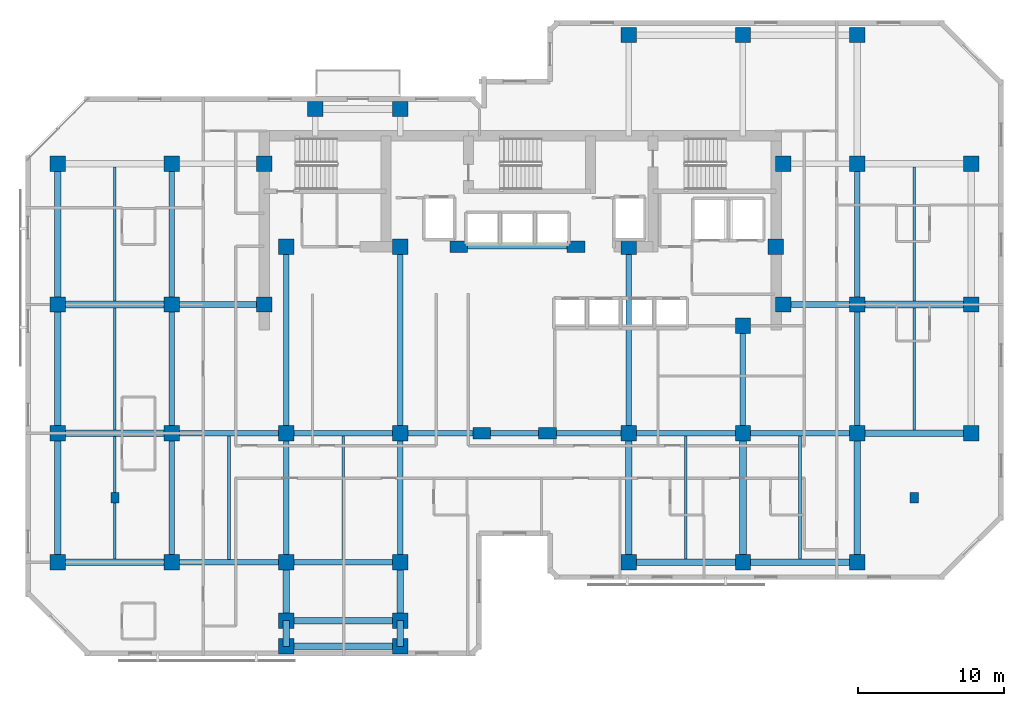
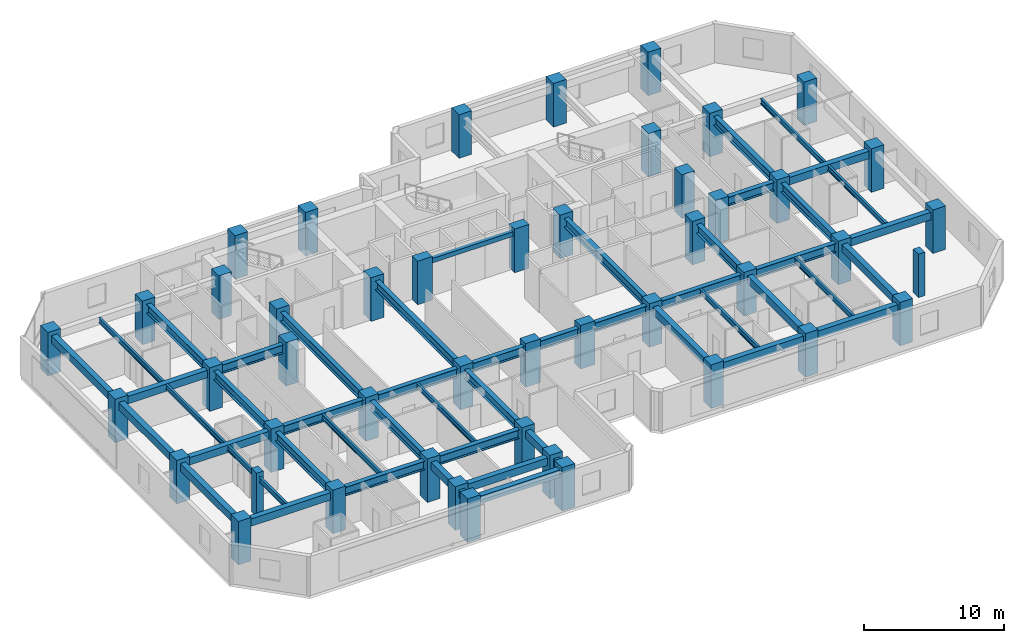
# One storey, part 1 of 11: 51 beams, 47 columns.
"""IFC4 building model written with IfcOpenShell, lengths in metres."""

from ifc_helpers import new_model, si_unit, direction, frame, origin, origin_2d, place, context, subcontext, project, spatial, rectangle, i_section, extrude, material, material_profile, profile_set, type_object, element, save


model = new_model("IFC4")

# Units and contexts
model_context = context("Model", 3, precision=1e-05, world=origin(), true_north=direction((0.0, 1.0)))
body_context = subcontext(model_context, "Body", "Model", "MODEL_VIEW")
ifc_project = project(units=[si_unit("LENGTHUNIT", "METRE"), si_unit("AREAUNIT", "SQUARE_METRE"), si_unit("VOLUMEUNIT", "CUBIC_METRE"), si_unit("PLANEANGLEUNIT", "RADIAN"), si_unit("MASSUNIT", "GRAM", prefix="KILO")], contexts=[model_context])

# Site, building, storey
site_placement = place(None, origin())
site = spatial("IfcSite", under=ifc_project, at=site_placement, CompositionType="ELEMENT")
building_placement = place(site_placement, origin())
building = spatial("IfcBuilding", under=site, at=building_placement, Name="Kestravale Grand Hotel", CompositionType="ELEMENT")
storey_placement = place(building_placement, frame((0.0, 0.0, 180.199951171875)))
storey = spatial("IfcBuildingStorey", under=building, at=storey_placement, Name="L45", CompositionType="ELEMENT", Elevation=180.199951171875)

# Columns
ifc_material_1 = material(Name="Concrete f'c 60 MPa", Category="concrete")
ifc_material_profile_1 = material_profile(ifc_material_1, rectangle(XDim=1.050048828125, YDim=1.050048828125, at=origin_2d()))
ifc_profile_set_1 = profile_set([ifc_material_profile_1], Name="Concrete f'c 60 MPa")
column_type_1 = type_object("IfcColumnType", Name="C-Z3-1050", PredefinedType="COLUMN", material=ifc_profile_set_1)
for number, where, z_axis, x_axis, name in (
    (1, (7.800048828125, 11.199951171875, 0.0), (0.0, 0.0, 1.0), (1.0, 0.0, 0.0), "L45 column 2-C"),
    (2, (7.800048828125, 20.0, 0.0), (0.0, 0.0, 1.0), (1.0, 0.0, 0.0), "L45 column 2-D"),
    (3, (7.800048828125, 28.800048828125, 0.0), (0.0, 0.0, 1.0), (1.0, 0.0, 0.0), "L45 column 2-E"),
    (4, (7.800048828125, 38.39990234375, 0.0), (0.0, 0.0, 1.0), (1.0, 0.0, 0.0), "L45 column 2-F"),
    (5, (15.60009765625, 11.199951171875, 0.0), (0.0, 0.0, 1.0), (1.0, 0.0, 0.0), "L45 column 3-C"),
    (6, (15.60009765625, 20.0, 0.0), (0.0, 0.0, 1.0), (1.0, 0.0, 0.0), "L45 column 3-D"),
    (7, (15.60009765625, 28.800048828125, 0.0), (0.0, 0.0, 1.0), (1.0, 0.0, 0.0), "L45 column 3-E"),
    (8, (15.60009765625, 38.39990234375, 0.0), (0.0, 0.0, 1.0), (1.0, 0.0, 0.0), "L45 column 3-F"),
    (9, (23.39990234375, 11.199951171875, 0.0), (0.0, 0.0, 1.0), (1.0, 0.0, 0.0), "L45 column 4-C"),
    (10, (23.39990234375, 20.0, 0.0), (0.0, 0.0, 1.0), (1.0, 0.0, 0.0), "L45 column 4-D"),
    (11, (31.199951171875, 11.199951171875, 0.0), (0.0, 0.0, 1.0), (1.0, 0.0, 0.0), "L45 column 5-C"),
    (12, (31.199951171875, 20.0, 0.0), (0.0, 0.0, 1.0), (1.0, 0.0, 0.0), "L45 column 5-D"),
    (13, (46.800048828125, 11.199951171875, 0.0), (0.0, 0.0, 1.0), (1.0, 0.0, 0.0), "L45 column 8-C"),
    (14, (46.800048828125, 20.0, 0.0), (0.0, 0.0, 1.0), (1.0, 0.0, 0.0), "L45 column 8-D"),
    (15, (46.800048828125, 47.199951171875, 0.0), (0.0, 0.0, 1.0), (1.0, 0.0, 0.0), "L45 column 8-G"),
    (16, (54.60009765625, 11.199951171875, 0.0), (0.0, 0.0, 1.0), (1.0, 0.0, 0.0), "L45 column 9-C"),
    (17, (54.60009765625, 20.0, 0.0), (0.0, 0.0, 1.0), (1.0, 0.0, 0.0), "L45 column 9-D"),
    (18, (54.60009765625, 47.199951171875, 0.0), (0.0, 0.0, 1.0), (1.0, 0.0, 0.0), "L45 column 9-G"),
    (19, (62.39990234375, 11.199951171875, 0.0), (0.0, 0.0, 1.0), (1.0, 0.0, 0.0), "L45 column 10-C"),
    (20, (62.39990234375, 20.0, 0.0), (0.0, 0.0, 1.0), (1.0, 0.0, 0.0), "L45 column 10-D"),
    (21, (62.39990234375, 28.800048828125, 0.0), (0.0, 0.0, 1.0), (1.0, 0.0, 0.0), "L45 column 10-E"),
    (22, (62.39990234375, 38.39990234375, 0.0), (0.0, 0.0, 1.0), (1.0, 0.0, 0.0), "L45 column 10-F"),
    (23, (62.39990234375, 47.199951171875, 0.0), (0.0, 0.0, 1.0), (1.0, 0.0, 0.0), "L45 column 10-G"),
    (24, (70.199951171875, 20.0, 0.0), (0.0, 0.0, 1.0), (1.0, 0.0, 0.0), "L45 column 11-D"),
    (25, (70.199951171875, 28.800048828125, 0.0), (0.0, 0.0, 1.0), (1.0, 0.0, 0.0), "L45 column 11-E"),
    (26, (70.199951171875, 38.39990234375, 0.0), (0.0, 0.0, 1.0), (1.0, 0.0, 0.0), "L45 column 11-F"),
    (27, (21.89990234375, 28.800048828125, 0.0), (0.0, 0.0, 1.0), (1.0, 0.0, 0.0), "L45 column CW-E"),
    (28, (21.89990234375, 38.39990234375, 0.0), (0.0, 0.0, 1.0), (1.0, 0.0, 0.0), "L45 column CW-F"),
    (29, (57.35009765625, 28.800048828125, 0.0), (0.0, 0.0, 1.0), (1.0, 0.0, 0.0), "L45 column CE-E"),
    (30, (57.35009765625, 38.39990234375, 0.0), (0.0, 0.0, 1.0), (1.0, 0.0, 0.0), "L45 column CE-F"),
    (31, (23.39990234375, 32.75, 0.0), (0.0, 0.0, 1.0), (1.0, 0.0, 0.0), "L45 column 4-CS"),
    (32, (31.199951171875, 32.75, 0.0), (0.0, 0.0, 1.0), (1.0, 0.0, 0.0), "L45 column 5-CS"),
    (33, (46.800048828125, 32.75, 0.0), (0.0, 0.0, 1.0), (1.0, 0.0, 0.0), "L45 column 8-CS"),
    (34, (54.60009765625, 27.35009765625, 0.0), (0.0, 0.0, 1.0), (1.0, 0.0, 0.0), "L45 column 9-CS"),
    (35, (56.85009765625, 32.75, 0.0), (0.0, 0.0, 1.0), (1.0, 0.0, 0.0), "L45 column 9C-CS"),
    (36, (23.39990234375, 7.199951171875, 0.0), (0.0, 0.0, 1.0), (1.0, 0.0, 0.0), "L45 column 4-BS"),
    (37, (31.199951171875, 7.199951171875, 0.0), (0.0, 0.0, 1.0), (1.0, 0.0, 0.0), "L45 column 5-BS"),
    (38, (25.39990234375, 42.14990234375, 0.0), (0.0, 0.0, 1.0), (1.0, 0.0, 0.0), "L45 column 4-FN"),
    (39, (31.199951171875, 42.14990234375, 0.0), (0.0, 0.0, 1.0), (1.0, 0.0, 0.0), "L45 column 5-FN"),
    (40, (23.39990234375, 5.449951171875, 0.0), (0.0, 0.0, 1.0), (1.0, 0.0, 0.0), "L45 column 4-B1S"),
    (41, (31.199951171875, 5.449951171875, 0.0), (0.0, 0.0, 1.0), (1.0, 0.0, 0.0), "L45 column 5-B1S"),
):
    element("IfcColumn", number, at=place(storey_placement, frame(where, z_axis=z_axis, x_axis=x_axis)), inside=storey, type_object=column_type_1, Name=name, PredefinedType="COLUMN", context=body_context, shape_type="SweptSolid", body=[
        extrude(rectangle(XDim=1.050048828125, YDim=1.050048828125, at=origin_2d()), origin(), (0.0, 0.0, 1.0), 3.800048828125),
    ])
ifc_material_2 = material(Name="Concrete f'c 60 MPa", Category="concrete")
ifc_material_profile_2 = material_profile(ifc_material_2, rectangle(XDim=1.199951171875, YDim=0.800048828125, at=origin_2d()))
ifc_profile_set_2 = profile_set([ifc_material_profile_2], Name="Concrete f'c 60 MPa")
column_type_2 = type_object("IfcColumnType", Name="C-Z3-1200X800", PredefinedType="COLUMN", material=ifc_profile_set_2)
for number, where, z_axis, x_axis, name in (
    (42, (36.75, 20.0, 0.0), (0.0, 0.0, 1.0), (1.0, 0.0, 0.0), "L45 column 6-D"),
    (43, (41.25, 20.0, 0.0), (0.0, 0.0, 1.0), (1.0, 0.0, 0.0), "L45 column 7-D"),
    (44, (35.199951171875, 32.75, 0.0), (0.0, 0.0, 1.0), (1.0, 0.0, 0.0), "L45 column 6C-CS"),
    (45, (43.199951171875, 32.75, 0.0), (0.0, 0.0, 1.0), (1.0, 0.0, 0.0), "L45 column 7C-CS"),
):
    element("IfcColumn", number, at=place(storey_placement, frame(where, z_axis=z_axis, x_axis=x_axis)), inside=storey, type_object=column_type_2, Name=name, PredefinedType="COLUMN", context=body_context, shape_type="SweptSolid", body=[
        extrude(rectangle(XDim=1.199951171875, YDim=0.800048828125, at=origin_2d()), origin(), (0.0, 0.0, 1.0), 3.800048828125),
    ])
ifc_material_3 = material(Name="Precast concrete f'c 45 MPa", Category="concrete")
ifc_material_profile_3 = material_profile(ifc_material_3, rectangle(XDim=0.550048828125, YDim=0.75, at=origin_2d()))
ifc_profile_set_3 = profile_set([ifc_material_profile_3], Name="Precast concrete f'c 45 MPa")
column_type_3 = type_object("IfcColumnType", Name="C-Z3-PIL750", PredefinedType="PILASTER", material=ifc_profile_set_3)
for number, where, z_axis, x_axis, name in (
    (46, (11.699951171875, 15.60009765625, 0.0), (0.0, 0.0, 1.0), (1.0, 0.0, 0.0), "L45 Art Deco fluted pilaster P1"),
    (47, (66.300048828125, 15.60009765625, 0.0), (0.0, 0.0, 1.0), (1.0, 0.0, 0.0), "L45 Art Deco fluted pilaster P2"),
):
    element("IfcColumn", number, at=place(storey_placement, frame(where, z_axis=z_axis, x_axis=x_axis)), inside=storey, type_object=column_type_3, Name=name, PredefinedType="PILASTER", context=body_context, shape_type="SweptSolid", body=[
        extrude(rectangle(XDim=0.550048828125, YDim=0.75, at=origin_2d()), origin(), (0.0, 0.0, 1.0), 3.800048828125),
    ])

# Beams
ifc_material_4 = material(Name="Steel ASTM A992 Grade 50", Category="steel")
ifc_material_profile_4 = material_profile(ifc_material_4, i_section(OverallWidth=0.19091796875, OverallDepth=0.45703125, WebThickness=0.009033203125, FlangeThickness=0.014404296875, FilletRadius=0.015380859375, at=origin_2d()))
ifc_profile_set_4 = profile_set([ifc_material_profile_4], Name="Steel ASTM A992 Grade 50")
beam_type_1 = type_object("IfcBeamType", Name="B-FLR-JST18", PredefinedType="JOIST", material=ifc_profile_set_4)
for number, where, z_axis, x_axis, name in (
    (48, (11.699951171875, 11.425048828125, 3.191650390625), (0.0, 1.0, 0.0), (-1.0, 0.0, 0.0), "L45 floor joist 2-3/C-D #1"),
    (49, (11.699951171875, 20.22509765625, 3.191650390625), (0.0, 1.0, 0.0), (-1.0, 0.0, 0.0), "L45 floor joist 2-3/D-E #1"),
):
    element("IfcBeam", number, at=place(storey_placement, frame(where, z_axis=z_axis, x_axis=x_axis)), inside=storey, type_object=beam_type_1, Name=name, PredefinedType="JOIST", context=body_context, shape_type="SweptSolid", body=[
        extrude(i_section(OverallWidth=0.19091796875, OverallDepth=0.45703125, WebThickness=0.009033203125, FlangeThickness=0.014404296875, FilletRadius=0.015380859375, at=origin_2d()), origin(), (0.0, 0.0, 1.0), 8.349853515625),
    ])
beam_1_placement = place(storey_placement, frame((11.699951171875, 29.02490234375, 3.191650390625), z_axis=(0.0, 1.0, 0.0), x_axis=(-1.0, 0.0, 0.0)))
element("IfcBeam", 50, at=beam_1_placement, inside=storey, type_object=beam_type_1, Name="L45 floor joist 2-3/E-F #1", PredefinedType="JOIST", context=body_context, shape_type="SweptSolid", body=[
    extrude(i_section(OverallWidth=0.19091796875, OverallDepth=0.45703125, WebThickness=0.009033203125, FlangeThickness=0.014404296875, FilletRadius=0.015380859375, at=origin_2d()), origin(), (0.0, 0.0, 1.0), 9.150146484375),
])
for number, where, z_axis, x_axis, name in (
    (51, (19.5, 11.390380859375, 3.191650390625), (0.0, 1.0, 0.0), (-1.0, 0.0, 0.0), "L45 floor joist 3-4/C-D #1"),
    (52, (27.300048828125, 11.390380859375, 3.191650390625), (0.0, 1.0, 0.0), (-1.0, 0.0, 0.0), "L45 floor joist 4-5/C-D #1"),
):
    element("IfcBeam", number, at=place(storey_placement, frame(where, z_axis=z_axis, x_axis=x_axis)), inside=storey, type_object=beam_type_1, Name=name, PredefinedType="JOIST", context=body_context, shape_type="SweptSolid", body=[
        extrude(i_section(OverallWidth=0.19091796875, OverallDepth=0.45703125, WebThickness=0.009033203125, FlangeThickness=0.014404296875, FilletRadius=0.015380859375, at=origin_2d()), origin(), (0.0, 0.0, 1.0), 8.419189453125),
    ])
for number, where, z_axis, x_axis, name in (
    (53, (50.699951171875, 11.425048828125, 3.191650390625), (0.0, 1.0, 0.0), (-1.0, 0.0, 0.0), "L45 floor joist 8-9/C-D #1"),
    (54, (58.5, 11.425048828125, 3.191650390625), (0.0, 1.0, 0.0), (-1.0, 0.0, 0.0), "L45 floor joist 9-10/C-D #1"),
):
    element("IfcBeam", number, at=place(storey_placement, frame(where, z_axis=z_axis, x_axis=x_axis)), inside=storey, type_object=beam_type_1, Name=name, PredefinedType="JOIST", context=body_context, shape_type="SweptSolid", body=[
        extrude(i_section(OverallWidth=0.19091796875, OverallDepth=0.45703125, WebThickness=0.009033203125, FlangeThickness=0.014404296875, FilletRadius=0.015380859375, at=origin_2d()), origin(), (0.0, 0.0, 1.0), 8.384521484375),
    ])
beam_2_placement = place(storey_placement, frame((66.300048828125, 20.22509765625, 3.191650390625), z_axis=(0.0, 1.0, 0.0), x_axis=(-1.0, 0.0, 0.0)))
element("IfcBeam", 55, at=beam_2_placement, inside=storey, type_object=beam_type_1, Name="L45 floor joist 10-11/D-E #1", PredefinedType="JOIST", context=body_context, shape_type="SweptSolid", body=[
    extrude(i_section(OverallWidth=0.19091796875, OverallDepth=0.45703125, WebThickness=0.009033203125, FlangeThickness=0.014404296875, FilletRadius=0.015380859375, at=origin_2d()), origin(), (0.0, 0.0, 1.0), 8.349853515625),
])
beam_3_placement = place(storey_placement, frame((66.300048828125, 29.02490234375, 3.191650390625), z_axis=(0.0, 1.0, 0.0), x_axis=(-1.0, 0.0, 0.0)))
element("IfcBeam", 56, at=beam_3_placement, inside=storey, type_object=beam_type_1, Name="L45 floor joist 10-11/E-F #1", PredefinedType="JOIST", context=body_context, shape_type="SweptSolid", body=[
    extrude(i_section(OverallWidth=0.19091796875, OverallDepth=0.45703125, WebThickness=0.009033203125, FlangeThickness=0.014404296875, FilletRadius=0.015380859375, at=origin_2d()), origin(), (0.0, 0.0, 1.0), 9.150146484375),
])
ifc_material_5 = material(Name="Concrete f'c 45 MPa", Category="concrete")
ifc_material_profile_5 = material_profile(ifc_material_5, rectangle(XDim=0.300048828125, YDim=0.39990234375, at=origin_2d()))
ifc_profile_set_5 = profile_set([ifc_material_profile_5], Name="Concrete f'c 45 MPa")
beam_type_2 = type_object("IfcBeamType", Name="B-FLR-LNT400", PredefinedType="LINTEL", material=ifc_profile_set_5)
beam_4_placement = place(storey_placement, frame((35.199951171875, 32.75, 3.219970703125), z_axis=(1.0, 0.0, 0.0), x_axis=(0.0, 1.0, 0.0)))
element("IfcBeam", 57, at=beam_4_placement, inside=storey, type_object=beam_type_2, Name="L45 core portal header lintel", PredefinedType="LINTEL", context=body_context, shape_type="SweptSolid", body=[
    extrude(rectangle(XDim=0.300048828125, YDim=0.39990234375, at=origin_2d()), origin(), (0.0, 0.0, 1.0), 8.0),
])
ifc_material_6 = material(Name="Concrete f'c 45 MPa", Category="concrete")
ifc_material_profile_6 = material_profile(ifc_material_6, rectangle(XDim=0.449951171875, YDim=0.64990234375, at=origin_2d()))
ifc_profile_set_6 = profile_set([ifc_material_profile_6], Name="Concrete f'c 45 MPa")
beam_type_3 = type_object("IfcBeamType", Name="B-FLR-RC650", PredefinedType="SPANDREL", material=ifc_profile_set_6)
for number, where, z_axis, x_axis, name in (
    (58, (7.800048828125, 11.199951171875, 3.094970703125), (1.0, 0.0, 0.0), (0.0, 1.0, 0.0), "L45 spandrel C:2-3"),
    (59, (46.800048828125, 11.199951171875, 3.094970703125), (1.0, 0.0, 0.0), (0.0, 1.0, 0.0), "L45 spandrel C:8-9"),
):
    element("IfcBeam", number, at=place(storey_placement, frame(where, z_axis=z_axis, x_axis=x_axis)), inside=storey, type_object=beam_type_3, Name=name, PredefinedType="SPANDREL", context=body_context, shape_type="SweptSolid", body=[
        extrude(rectangle(XDim=0.449951171875, YDim=0.64990234375, at=origin_2d()), origin(), (0.0, 0.0, 1.0), 7.800048828125),
    ])
beam_5_placement = place(storey_placement, frame((54.60009765625, 11.199951171875, 3.094970703125), z_axis=(1.0, 0.0, 0.0), x_axis=(0.0, 1.0, 0.0)))
element("IfcBeam", 60, at=beam_5_placement, inside=storey, type_object=beam_type_3, Name="L45 spandrel C:9-10", PredefinedType="SPANDREL", context=body_context, shape_type="SweptSolid", body=[
    extrude(rectangle(XDim=0.449951171875, YDim=0.64990234375, at=origin_2d()), origin(), (0.0, 0.0, 1.0), 7.7998046875),
])
for number, where, z_axis, x_axis, name in (
    (61, (7.800048828125, 20.0, 3.094970703125), (1.0, 0.0, 0.0), (0.0, 1.0, 0.0), "L45 spandrel D:2-3"),
    (62, (62.39990234375, 20.0, 3.094970703125), (1.0, 0.0, 0.0), (0.0, 1.0, 0.0), "L45 spandrel D:10-11"),
    (63, (7.800048828125, 28.800048828125, 3.094970703125), (1.0, 0.0, 0.0), (0.0, 1.0, 0.0), "L45 spandrel E:2-3"),
    (64, (62.39990234375, 28.800048828125, 3.094970703125), (1.0, 0.0, 0.0), (0.0, 1.0, 0.0), "L45 spandrel E:10-11"),
    (65, (23.39990234375, 5.449951171875, 3.094970703125), (1.0, 0.0, 0.0), (0.0, 1.0, 0.0), "L45 perimeter tie spandrel B1S:4-5"),
    (66, (23.39990234375, 7.199951171875, 3.094970703125), (1.0, 0.0, 0.0), (0.0, 1.0, 0.0), "L45 perimeter tie spandrel BS:4-5"),
):
    element("IfcBeam", number, at=place(storey_placement, frame(where, z_axis=z_axis, x_axis=x_axis)), inside=storey, type_object=beam_type_3, Name=name, PredefinedType="SPANDREL", context=body_context, shape_type="SweptSolid", body=[
        extrude(rectangle(XDim=0.449951171875, YDim=0.64990234375, at=origin_2d()), origin(), (0.0, 0.0, 1.0), 7.800048828125),
    ])
for number, where, z_axis, x_axis, name in (
    (67, (7.800048828125, 11.199951171875, 3.094970703125), (0.0, 1.0, 0.0), (-1.0, 0.0, 0.0), "L45 spandrel 2:C-D"),
    (68, (7.800048828125, 20.0, 3.094970703125), (0.0, 1.0, 0.0), (-1.0, 0.0, 0.0), "L45 spandrel 2:D-E"),
):
    element("IfcBeam", number, at=place(storey_placement, frame(where, z_axis=z_axis, x_axis=x_axis)), inside=storey, type_object=beam_type_3, Name=name, PredefinedType="SPANDREL", context=body_context, shape_type="SweptSolid", body=[
        extrude(rectangle(XDim=0.449951171875, YDim=0.64990234375, at=origin_2d()), origin(), (0.0, 0.0, 1.0), 8.800048828125),
    ])
beam_6_placement = place(storey_placement, frame((7.800048828125, 28.800048828125, 3.094970703125), z_axis=(0.0, 1.0, 0.0), x_axis=(-1.0, 0.0, 0.0)))
element("IfcBeam", 69, at=beam_6_placement, inside=storey, type_object=beam_type_3, Name="L45 spandrel 2:E-F", PredefinedType="SPANDREL", context=body_context, shape_type="SweptSolid", body=[
    extrude(rectangle(XDim=0.449951171875, YDim=0.64990234375, at=origin_2d()), origin(), (0.0, 0.0, 1.0), 9.599853515625),
])
beam_7_placement = place(storey_placement, frame((23.39990234375, 5.449951171875, 3.094970703125), z_axis=(0.0, 1.0, 0.0), x_axis=(-1.0, 0.0, 0.0)))
element("IfcBeam", 70, at=beam_7_placement, inside=storey, type_object=beam_type_3, Name="L45 spandrel 4:B1S-BS", PredefinedType="SPANDREL", context=body_context, shape_type="SweptSolid", body=[
    extrude(rectangle(XDim=0.449951171875, YDim=0.64990234375, at=origin_2d()), origin(), (0.0, 0.0, 1.0), 1.75),
])
beam_8_placement = place(storey_placement, frame((23.39990234375, 7.199951171875, 3.094970703125), z_axis=(0.0, 1.0, 0.0), x_axis=(-1.0, 0.0, 0.0)))
element("IfcBeam", 71, at=beam_8_placement, inside=storey, type_object=beam_type_3, Name="L45 spandrel 4:BS-C", PredefinedType="SPANDREL", context=body_context, shape_type="SweptSolid", body=[
    extrude(rectangle(XDim=0.449951171875, YDim=0.64990234375, at=origin_2d()), origin(), (0.0, 0.0, 1.0), 4.0),
])
beam_9_placement = place(storey_placement, frame((31.199951171875, 5.449951171875, 3.094970703125), z_axis=(0.0, 1.0, 0.0), x_axis=(-1.0, 0.0, 0.0)))
element("IfcBeam", 72, at=beam_9_placement, inside=storey, type_object=beam_type_3, Name="L45 spandrel 5:B1S-BS", PredefinedType="SPANDREL", context=body_context, shape_type="SweptSolid", body=[
    extrude(rectangle(XDim=0.449951171875, YDim=0.64990234375, at=origin_2d()), origin(), (0.0, 0.0, 1.0), 1.75),
])
beam_10_placement = place(storey_placement, frame((31.199951171875, 7.199951171875, 3.094970703125), z_axis=(0.0, 1.0, 0.0), x_axis=(-1.0, 0.0, 0.0)))
element("IfcBeam", 73, at=beam_10_placement, inside=storey, type_object=beam_type_3, Name="L45 spandrel 5:BS-C", PredefinedType="SPANDREL", context=body_context, shape_type="SweptSolid", body=[
    extrude(rectangle(XDim=0.449951171875, YDim=0.64990234375, at=origin_2d()), origin(), (0.0, 0.0, 1.0), 4.0),
])
for number, where, z_axis, x_axis, name in (
    (74, (46.800048828125, 11.199951171875, 3.094970703125), (0.0, 1.0, 0.0), (-1.0, 0.0, 0.0), "L45 spandrel 8:C-D"),
    (75, (54.60009765625, 11.199951171875, 3.094970703125), (0.0, 1.0, 0.0), (-1.0, 0.0, 0.0), "L45 spandrel 9:C-D"),
    (76, (62.39990234375, 11.199951171875, 3.094970703125), (0.0, 1.0, 0.0), (-1.0, 0.0, 0.0), "L45 spandrel 10:C-D"),
):
    element("IfcBeam", number, at=place(storey_placement, frame(where, z_axis=z_axis, x_axis=x_axis)), inside=storey, type_object=beam_type_3, Name=name, PredefinedType="SPANDREL", context=body_context, shape_type="SweptSolid", body=[
        extrude(rectangle(XDim=0.449951171875, YDim=0.64990234375, at=origin_2d()), origin(), (0.0, 0.0, 1.0), 8.800048828125),
    ])
ifc_material_7 = material(Name="Steel ASTM A992 Grade 50", Category="steel")
ifc_material_profile_7 = material_profile(ifc_material_7, i_section(OverallWidth=0.381103515625, OverallDepth=0.77197265625, WebThickness=0.0166015625, FlangeThickness=0.027099609375, FilletRadius=0.023681640625, at=origin_2d()))
ifc_profile_set_7 = profile_set([ifc_material_profile_7], Name="Steel ASTM A992 Grade 50")
beam_type_4 = type_object("IfcBeamType", Name="B-GRD-W30", PredefinedType="BEAM", material=ifc_profile_set_7)
beam_11_placement = place(storey_placement, frame((15.60009765625, 11.199951171875, 3.033935546875), z_axis=(1.0, 0.0, 0.0), x_axis=(0.0, 1.0, 0.0)))
element("IfcBeam", 77, at=beam_11_placement, inside=storey, type_object=beam_type_4, Name="L45 girder C:3-4", PredefinedType="BEAM", context=body_context, shape_type="SweptSolid", body=[
    extrude(i_section(OverallWidth=0.381103515625, OverallDepth=0.77197265625, WebThickness=0.0166015625, FlangeThickness=0.027099609375, FilletRadius=0.023681640625, at=origin_2d()), origin(), (0.0, 0.0, 1.0), 7.7998046875),
])
beam_12_placement = place(storey_placement, frame((23.39990234375, 11.199951171875, 3.033935546875), z_axis=(1.0, 0.0, 0.0), x_axis=(0.0, 1.0, 0.0)))
element("IfcBeam", 78, at=beam_12_placement, inside=storey, type_object=beam_type_4, Name="L45 girder C:4-5", PredefinedType="BEAM", context=body_context, shape_type="SweptSolid", body=[
    extrude(i_section(OverallWidth=0.381103515625, OverallDepth=0.77197265625, WebThickness=0.0166015625, FlangeThickness=0.027099609375, FilletRadius=0.023681640625, at=origin_2d()), origin(), (0.0, 0.0, 1.0), 7.800048828125),
])
beam_13_placement = place(storey_placement, frame((15.60009765625, 20.0, 3.033935546875), z_axis=(1.0, 0.0, 0.0), x_axis=(0.0, 1.0, 0.0)))
element("IfcBeam", 79, at=beam_13_placement, inside=storey, type_object=beam_type_4, Name="L45 girder D:3-4", PredefinedType="BEAM", context=body_context, shape_type="SweptSolid", body=[
    extrude(i_section(OverallWidth=0.381103515625, OverallDepth=0.77197265625, WebThickness=0.0166015625, FlangeThickness=0.027099609375, FilletRadius=0.023681640625, at=origin_2d()), origin(), (0.0, 0.0, 1.0), 7.7998046875),
])
beam_14_placement = place(storey_placement, frame((23.39990234375, 20.0, 3.033935546875), z_axis=(1.0, 0.0, 0.0), x_axis=(0.0, 1.0, 0.0)))
element("IfcBeam", 80, at=beam_14_placement, inside=storey, type_object=beam_type_4, Name="L45 girder D:4-5", PredefinedType="BEAM", context=body_context, shape_type="SweptSolid", body=[
    extrude(i_section(OverallWidth=0.381103515625, OverallDepth=0.77197265625, WebThickness=0.0166015625, FlangeThickness=0.027099609375, FilletRadius=0.023681640625, at=origin_2d()), origin(), (0.0, 0.0, 1.0), 7.800048828125),
])
beam_15_placement = place(storey_placement, frame((31.199951171875, 20.0, 3.033935546875), z_axis=(1.0, 0.0, 0.0), x_axis=(0.0, 1.0, 0.0)))
element("IfcBeam", 81, at=beam_15_placement, inside=storey, type_object=beam_type_4, Name="L45 girder D:5-6", PredefinedType="BEAM", context=body_context, shape_type="SweptSolid", body=[
    extrude(i_section(OverallWidth=0.381103515625, OverallDepth=0.77197265625, WebThickness=0.0166015625, FlangeThickness=0.027099609375, FilletRadius=0.023681640625, at=origin_2d()), origin(), (0.0, 0.0, 1.0), 5.550048828125),
])
beam_16_placement = place(storey_placement, frame((36.75, 20.0, 3.033935546875), z_axis=(1.0, 0.0, 0.0), x_axis=(0.0, 1.0, 0.0)))
element("IfcBeam", 82, at=beam_16_placement, inside=storey, type_object=beam_type_4, Name="L45 girder D:6-7", PredefinedType="BEAM", context=body_context, shape_type="SweptSolid", body=[
    extrude(i_section(OverallWidth=0.381103515625, OverallDepth=0.77197265625, WebThickness=0.0166015625, FlangeThickness=0.027099609375, FilletRadius=0.023681640625, at=origin_2d()), origin(), (0.0, 0.0, 1.0), 4.5),
])
beam_17_placement = place(storey_placement, frame((41.25, 20.0, 3.033935546875), z_axis=(1.0, 0.0, 0.0), x_axis=(0.0, 1.0, 0.0)))
element("IfcBeam", 83, at=beam_17_placement, inside=storey, type_object=beam_type_4, Name="L45 girder D:7-8", PredefinedType="BEAM", context=body_context, shape_type="SweptSolid", body=[
    extrude(i_section(OverallWidth=0.381103515625, OverallDepth=0.77197265625, WebThickness=0.0166015625, FlangeThickness=0.027099609375, FilletRadius=0.023681640625, at=origin_2d()), origin(), (0.0, 0.0, 1.0), 5.550048828125),
])
beam_18_placement = place(storey_placement, frame((46.800048828125, 20.0, 3.033935546875), z_axis=(1.0, 0.0, 0.0), x_axis=(0.0, 1.0, 0.0)))
element("IfcBeam", 84, at=beam_18_placement, inside=storey, type_object=beam_type_4, Name="L45 girder D:8-9", PredefinedType="BEAM", context=body_context, shape_type="SweptSolid", body=[
    extrude(i_section(OverallWidth=0.381103515625, OverallDepth=0.77197265625, WebThickness=0.0166015625, FlangeThickness=0.027099609375, FilletRadius=0.023681640625, at=origin_2d()), origin(), (0.0, 0.0, 1.0), 7.800048828125),
])
beam_19_placement = place(storey_placement, frame((54.60009765625, 20.0, 3.033935546875), z_axis=(1.0, 0.0, 0.0), x_axis=(0.0, 1.0, 0.0)))
element("IfcBeam", 85, at=beam_19_placement, inside=storey, type_object=beam_type_4, Name="L45 girder D:9-10", PredefinedType="BEAM", context=body_context, shape_type="SweptSolid", body=[
    extrude(i_section(OverallWidth=0.381103515625, OverallDepth=0.77197265625, WebThickness=0.0166015625, FlangeThickness=0.027099609375, FilletRadius=0.023681640625, at=origin_2d()), origin(), (0.0, 0.0, 1.0), 7.7998046875),
])
beam_20_placement = place(storey_placement, frame((15.60009765625, 28.800048828125, 3.033935546875), z_axis=(1.0, 0.0, 0.0), x_axis=(0.0, 1.0, 0.0)))
element("IfcBeam", 86, at=beam_20_placement, inside=storey, type_object=beam_type_4, Name="L45 girder E:3-CW", PredefinedType="BEAM", context=body_context, shape_type="SweptSolid", body=[
    extrude(i_section(OverallWidth=0.381103515625, OverallDepth=0.77197265625, WebThickness=0.0166015625, FlangeThickness=0.027099609375, FilletRadius=0.023681640625, at=origin_2d()), origin(), (0.0, 0.0, 1.0), 6.2998046875),
])
beam_21_placement = place(storey_placement, frame((57.35009765625, 28.800048828125, 3.033935546875), z_axis=(1.0, 0.0, 0.0), x_axis=(0.0, 1.0, 0.0)))
element("IfcBeam", 87, at=beam_21_placement, inside=storey, type_object=beam_type_4, Name="L45 girder E:CE-10", PredefinedType="BEAM", context=body_context, shape_type="SweptSolid", body=[
    extrude(i_section(OverallWidth=0.381103515625, OverallDepth=0.77197265625, WebThickness=0.0166015625, FlangeThickness=0.027099609375, FilletRadius=0.023681640625, at=origin_2d()), origin(), (0.0, 0.0, 1.0), 5.0498046875),
])
for number, where, z_axis, x_axis, name in (
    (88, (15.60009765625, 11.199951171875, 3.033935546875), (0.0, 1.0, 0.0), (-1.0, 0.0, 0.0), "L45 girder 3:C-D"),
    (89, (15.60009765625, 20.0, 3.033935546875), (0.0, 1.0, 0.0), (-1.0, 0.0, 0.0), "L45 girder 3:D-E"),
):
    element("IfcBeam", number, at=place(storey_placement, frame(where, z_axis=z_axis, x_axis=x_axis)), inside=storey, type_object=beam_type_4, Name=name, PredefinedType="BEAM", context=body_context, shape_type="SweptSolid", body=[
        extrude(i_section(OverallWidth=0.381103515625, OverallDepth=0.77197265625, WebThickness=0.0166015625, FlangeThickness=0.027099609375, FilletRadius=0.023681640625, at=origin_2d()), origin(), (0.0, 0.0, 1.0), 8.800048828125),
    ])
beam_22_placement = place(storey_placement, frame((15.60009765625, 28.800048828125, 3.033935546875), z_axis=(0.0, 1.0, 0.0), x_axis=(-1.0, 0.0, 0.0)))
element("IfcBeam", 90, at=beam_22_placement, inside=storey, type_object=beam_type_4, Name="L45 girder 3:E-F", PredefinedType="BEAM", context=body_context, shape_type="SweptSolid", body=[
    extrude(i_section(OverallWidth=0.381103515625, OverallDepth=0.77197265625, WebThickness=0.0166015625, FlangeThickness=0.027099609375, FilletRadius=0.023681640625, at=origin_2d()), origin(), (0.0, 0.0, 1.0), 9.599853515625),
])
beam_23_placement = place(storey_placement, frame((23.39990234375, 11.199951171875, 3.033935546875), z_axis=(0.0, 1.0, 0.0), x_axis=(-1.0, 0.0, 0.0)))
element("IfcBeam", 91, at=beam_23_placement, inside=storey, type_object=beam_type_4, Name="L45 girder 4:C-D", PredefinedType="BEAM", context=body_context, shape_type="SweptSolid", body=[
    extrude(i_section(OverallWidth=0.381103515625, OverallDepth=0.77197265625, WebThickness=0.0166015625, FlangeThickness=0.027099609375, FilletRadius=0.023681640625, at=origin_2d()), origin(), (0.0, 0.0, 1.0), 8.800048828125),
])
beam_24_placement = place(storey_placement, frame((23.39990234375, 20.0, 3.033935546875), z_axis=(0.0, 1.0, 0.0), x_axis=(-1.0, 0.0, 0.0)))
element("IfcBeam", 92, at=beam_24_placement, inside=storey, type_object=beam_type_4, Name="L45 girder 4:D-CS", PredefinedType="BEAM", context=body_context, shape_type="SweptSolid", body=[
    extrude(i_section(OverallWidth=0.381103515625, OverallDepth=0.77197265625, WebThickness=0.0166015625, FlangeThickness=0.027099609375, FilletRadius=0.023681640625, at=origin_2d()), origin(), (0.0, 0.0, 1.0), 12.75),
])
beam_25_placement = place(storey_placement, frame((31.199951171875, 11.199951171875, 3.033935546875), z_axis=(0.0, 1.0, 0.0), x_axis=(-1.0, 0.0, 0.0)))
element("IfcBeam", 93, at=beam_25_placement, inside=storey, type_object=beam_type_4, Name="L45 girder 5:C-D", PredefinedType="BEAM", context=body_context, shape_type="SweptSolid", body=[
    extrude(i_section(OverallWidth=0.381103515625, OverallDepth=0.77197265625, WebThickness=0.0166015625, FlangeThickness=0.027099609375, FilletRadius=0.023681640625, at=origin_2d()), origin(), (0.0, 0.0, 1.0), 8.800048828125),
])
for number, where, z_axis, x_axis, name in (
    (94, (31.199951171875, 20.0, 3.033935546875), (0.0, 1.0, 0.0), (-1.0, 0.0, 0.0), "L45 girder 5:D-CS"),
    (95, (46.800048828125, 20.0, 3.033935546875), (0.0, 1.0, 0.0), (-1.0, 0.0, 0.0), "L45 girder 8:D-CS"),
):
    element("IfcBeam", number, at=place(storey_placement, frame(where, z_axis=z_axis, x_axis=x_axis)), inside=storey, type_object=beam_type_4, Name=name, PredefinedType="BEAM", context=body_context, shape_type="SweptSolid", body=[
        extrude(i_section(OverallWidth=0.381103515625, OverallDepth=0.77197265625, WebThickness=0.0166015625, FlangeThickness=0.027099609375, FilletRadius=0.023681640625, at=origin_2d()), origin(), (0.0, 0.0, 1.0), 12.75),
    ])
beam_26_placement = place(storey_placement, frame((54.60009765625, 20.0, 3.033935546875), z_axis=(0.0, 1.0, 0.0), x_axis=(-1.0, 0.0, 0.0)))
element("IfcBeam", 96, at=beam_26_placement, inside=storey, type_object=beam_type_4, Name="L45 girder 9:D-CS", PredefinedType="BEAM", context=body_context, shape_type="SweptSolid", body=[
    extrude(i_section(OverallWidth=0.381103515625, OverallDepth=0.77197265625, WebThickness=0.0166015625, FlangeThickness=0.027099609375, FilletRadius=0.023681640625, at=origin_2d()), origin(), (0.0, 0.0, 1.0), 7.35009765625),
])
beam_27_placement = place(storey_placement, frame((62.39990234375, 20.0, 3.033935546875), z_axis=(0.0, 1.0, 0.0), x_axis=(-1.0, 0.0, 0.0)))
element("IfcBeam", 97, at=beam_27_placement, inside=storey, type_object=beam_type_4, Name="L45 girder 10:D-E", PredefinedType="BEAM", context=body_context, shape_type="SweptSolid", body=[
    extrude(i_section(OverallWidth=0.381103515625, OverallDepth=0.77197265625, WebThickness=0.0166015625, FlangeThickness=0.027099609375, FilletRadius=0.023681640625, at=origin_2d()), origin(), (0.0, 0.0, 1.0), 8.800048828125),
])
beam_28_placement = place(storey_placement, frame((62.39990234375, 28.800048828125, 3.033935546875), z_axis=(0.0, 1.0, 0.0), x_axis=(-1.0, 0.0, 0.0)))
element("IfcBeam", 98, at=beam_28_placement, inside=storey, type_object=beam_type_4, Name="L45 girder 10:E-F", PredefinedType="BEAM", context=body_context, shape_type="SweptSolid", body=[
    extrude(i_section(OverallWidth=0.381103515625, OverallDepth=0.77197265625, WebThickness=0.0166015625, FlangeThickness=0.027099609375, FilletRadius=0.023681640625, at=origin_2d()), origin(), (0.0, 0.0, 1.0), 9.599853515625),
])

save(model, "model.ifc")
